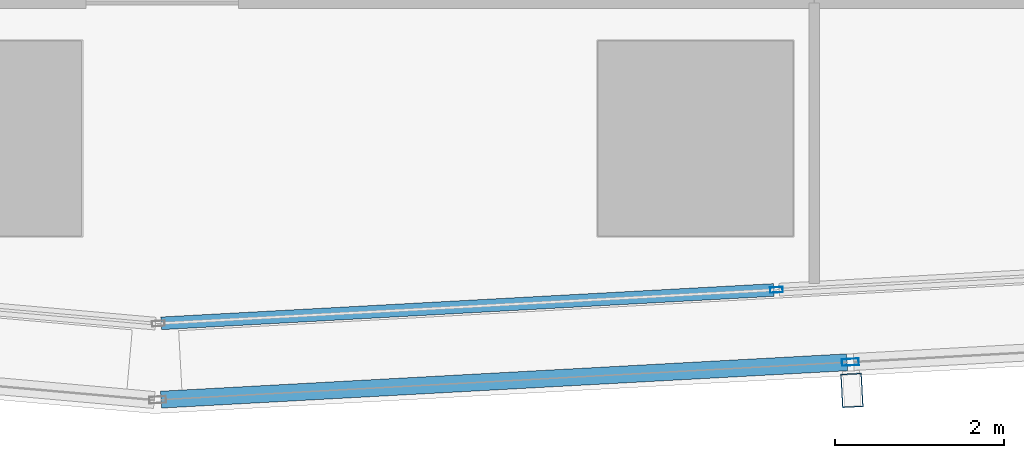
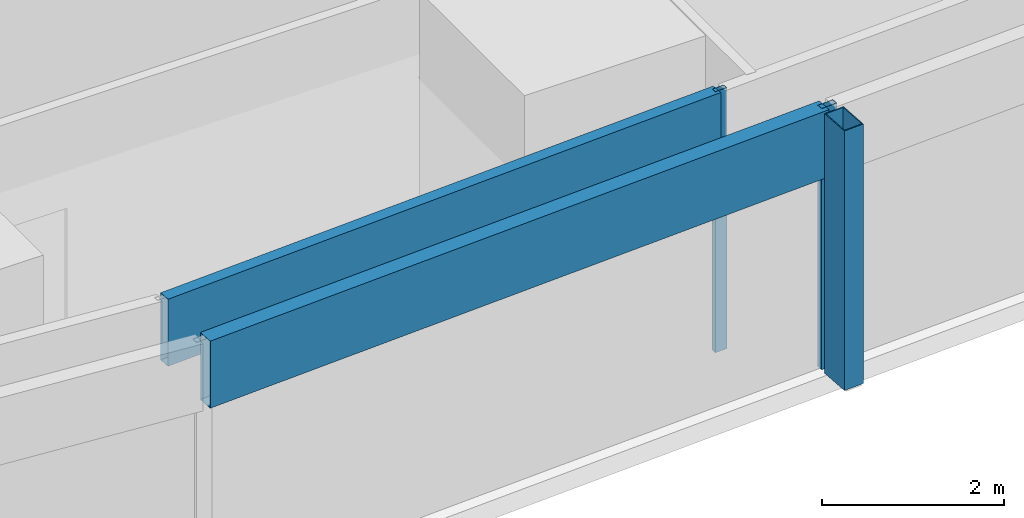
# One storey, part 5 of 32: 5 members, 2 elements without a shape of their own.
"""IFC4 building model written with IfcOpenShell, lengths in metres."""

from ifc_helpers import new_model, si_unit, direction, frame, origin, origin_2d, place, context, subcontext, project, spatial, hollow_rectangle, extrude, material, material_profile, profile_set, type_object, element, aggregate, save


model = new_model("IFC4")

# Units and contexts
model_context = context("Model", 3, precision=1e-05, world=origin(), true_north=direction((0.0, 1.0)))
body_context = subcontext(model_context, "Body", "Model", "MODEL_VIEW")
ifc_project = project(units=[si_unit("LENGTHUNIT", "METRE"), si_unit("AREAUNIT", "SQUARE_METRE"), si_unit("VOLUMEUNIT", "CUBIC_METRE"), si_unit("PLANEANGLEUNIT", "RADIAN"), si_unit("MASSUNIT", "GRAM", prefix="KILO")], contexts=[model_context])

# Site, building, storey
site_placement = place(None, origin())
site = spatial("IfcSite", under=ifc_project, at=site_placement, CompositionType="ELEMENT")
building_placement = place(site_placement, origin())
building = spatial("IfcBuilding", under=site, at=building_placement, Name="Rekha Terrace Tower", CompositionType="ELEMENT")
storey_placement = place(building_placement, frame((0.0, 0.0, 250.10009765625)))
storey = spatial("IfcBuildingStorey", under=building, at=storey_placement, Name="L63", CompositionType="ELEMENT", Elevation=250.10009765625)

# Curtain wall, member
ifc_material_1 = material(Name="Aluminium framing", Category="aluminium")
curtain_wall_type_1 = type_object("IfcCurtainWallType", Name="CW2 double skin outer glazing", PredefinedType="USERDEFINED", material=ifc_material_1)
curtain_wall_1_placement = place(storey_placement, origin())
curtain_wall_1 = element("IfcCurtainWall", 1, at=curtain_wall_1_placement, inside=storey, type_object=curtain_wall_type_1, Name="CW2 double skin outer glazing", ObjectType="DOUBLE SKIN OUTER GLAZING", PredefinedType="USERDEFINED")
ifc_material_2 = material(Name="Steel S355 with fluorocarbon finish", Category="steel")
ifc_material_profile_1 = material_profile(ifc_material_2, hollow_rectangle(XDim=0.25, YDim=0.39990234375, WallThickness=0.012451171875, at=origin_2d()), Name="RHS400x250x12.5")
ifc_profile_set_1 = profile_set([ifc_material_profile_1], Name="Steel S355 with fluorocarbon finish")
member_type_1 = type_object("IfcMemberType", Name="BL1 facade blade RHS 400 x 250", PredefinedType="USERDEFINED", material=ifc_profile_set_1)
member_1_placement = place(storey_placement, frame((35.4482421875, 13.82373046875, 0.02001953125), z_axis=(0.0, 0.0, 1.0), x_axis=(0.99851982155, 0.054389024366, 0.0)))
member_1 = element("IfcMember", 2, at=member_1_placement, type_object=member_type_1, Name="Facade blade", ObjectType="FACADE BLADE", PredefinedType="USERDEFINED", context=body_context, shape_type="SweptSolid", body=[
    extrude(hollow_rectangle(XDim=0.25, YDim=0.39990234375, WallThickness=0.012451171875, at=origin_2d()), origin(), (0.0, 0.0, 1.0), 3.47998046875),
])

# Curtain wall, members
curtain_wall_type_2 = type_object("IfcCurtainWallType", Name="CW1 double skin inner glazing", PredefinedType="USERDEFINED", material=ifc_material_1)
curtain_wall_2_placement = place(storey_placement, origin())
curtain_wall_2 = element("IfcCurtainWall", 3, at=curtain_wall_2_placement, inside=storey, type_object=curtain_wall_type_2, Name="CW1 double skin inner glazing", ObjectType="DOUBLE SKIN INNER GLAZING", PredefinedType="USERDEFINED")
ifc_material_3 = material(Name="Aluminium mullion section", Category="aluminium")
ifc_material_profile_2 = material_profile(ifc_material_3, hollow_rectangle(XDim=0.06494140625, YDim=0.14990234375, WallThickness=0.00390625, at=origin_2d()), Name="AL RHS 65x150")
ifc_profile_set_2 = profile_set([ifc_material_profile_2], Name="Aluminium mullion section")
member_type_2 = type_object("IfcMemberType", Name="CW1 mullion RHS 65 x 150", PredefinedType="MULLION", material=ifc_profile_set_2)
member_2_placement = place(storey_placement, frame((34.556396484375, 15.011962890625, 0.0), z_axis=(0.0, 0.0, 1.0), x_axis=(-0.054388903036, 0.998519828159, 0.0)))
member_2 = element("IfcMember", 4, at=member_2_placement, type_object=member_type_2, Name="CW1 mullion 2", PredefinedType="MULLION", context=body_context, shape_type="SweptSolid", body=[
    extrude(hollow_rectangle(XDim=0.06494140625, YDim=0.14990234375, WallThickness=0.00390625, at=origin_2d()), origin(), (0.0, 0.0, 1.0), 3.5),
])
ifc_material_4 = material(Name="Insulated aluminium spandrel box", Category="aluminium")
ifc_material_profile_3 = material_profile(ifc_material_4, hollow_rectangle(XDim=0.14990234375, YDim=0.89990234375, WallThickness=0.0029296875, at=origin_2d()), Name="AL SPANDREL BOX 150x900")
ifc_profile_set_3 = profile_set([ifc_material_profile_3], Name="Insulated aluminium spandrel box")
member_type_3 = type_object("IfcMemberType", Name="CW1 spandrel transom 150 x 900", PredefinedType="USERDEFINED", material=ifc_profile_set_3)
member_3_placement = place(storey_placement, frame((27.287109375, 14.6162109375, 3.0498046875), z_axis=(0.998520899516, 0.054369230545, 0.0), x_axis=(-0.054369230545, 0.998520899516, 0.0)))
member_3 = element("IfcMember", 5, at=member_3_placement, type_object=member_type_3, Name="CW1 spandrel transom 1", ObjectType="TRANSOM", PredefinedType="USERDEFINED", context=body_context, shape_type="SweptSolid", body=[
    extrude(hollow_rectangle(XDim=0.14990234375, YDim=0.89990234375, WallThickness=0.0029296875, at=origin_2d()), origin(), (0.0, 0.0, 1.0), 7.24755859375),
])
aggregate(curtain_wall_2, [member_2, member_3])

# Member
ifc_material_profile_4 = material_profile(ifc_material_3, hollow_rectangle(XDim=0.080078125, YDim=0.199951171875, WallThickness=0.00390625, at=origin_2d()), Name="AL RHS 80x200")
ifc_profile_set_4 = profile_set([ifc_material_profile_4], Name="Aluminium mullion section")
member_type_4 = type_object("IfcMemberType", Name="CW2 mullion RHS 80 x 200", PredefinedType="MULLION", material=ifc_profile_set_4)
member_4_placement = place(storey_placement, frame((35.429931640625, 14.158203125, 0.0), z_axis=(0.0, 0.0, 1.0), x_axis=(-0.054388903071, 0.998519828157, 0.0)))
member_4 = element("IfcMember", 6, at=member_4_placement, type_object=member_type_4, Name="CW2 mullion 2", PredefinedType="MULLION", context=body_context, shape_type="SweptSolid", body=[
    extrude(hollow_rectangle(XDim=0.080078125, YDim=0.199951171875, WallThickness=0.00390625, at=origin_2d()), origin(), (0.0, 0.0, 1.0), 3.5),
])

ifc_material_profile_5 = material_profile(ifc_material_4, hollow_rectangle(XDim=0.199951171875, YDim=0.89990234375, WallThickness=0.0029296875, at=origin_2d()), Name="AL SPANDREL BOX 200x900")
ifc_profile_set_5 = profile_set([ifc_material_profile_5], Name="Insulated aluminium spandrel box")
member_type_5 = type_object("IfcMemberType", Name="CW2 spandrel transom 200 x 900", PredefinedType="USERDEFINED", material=ifc_profile_set_5)
member_5_placement = place(storey_placement, frame((27.28662109375, 13.71484375, 3.0498046875), z_axis=(0.998521383998, 0.054360332034, 0.0), x_axis=(-0.054360332034, 0.998521383998, 0.0)))
member_5 = element("IfcMember", 7, at=member_5_placement, type_object=member_type_5, Name="CW2 spandrel transom 1", ObjectType="TRANSOM", PredefinedType="USERDEFINED", context=body_context, shape_type="SweptSolid", body=[
    extrude(hollow_rectangle(XDim=0.199951171875, YDim=0.89990234375, WallThickness=0.0029296875, at=origin_2d()), origin(), (0.0, 0.0, 1.0), 8.115478515625),
])

aggregate(curtain_wall_1, [member_4, member_5, member_1])

save(model, "model.ifc")
